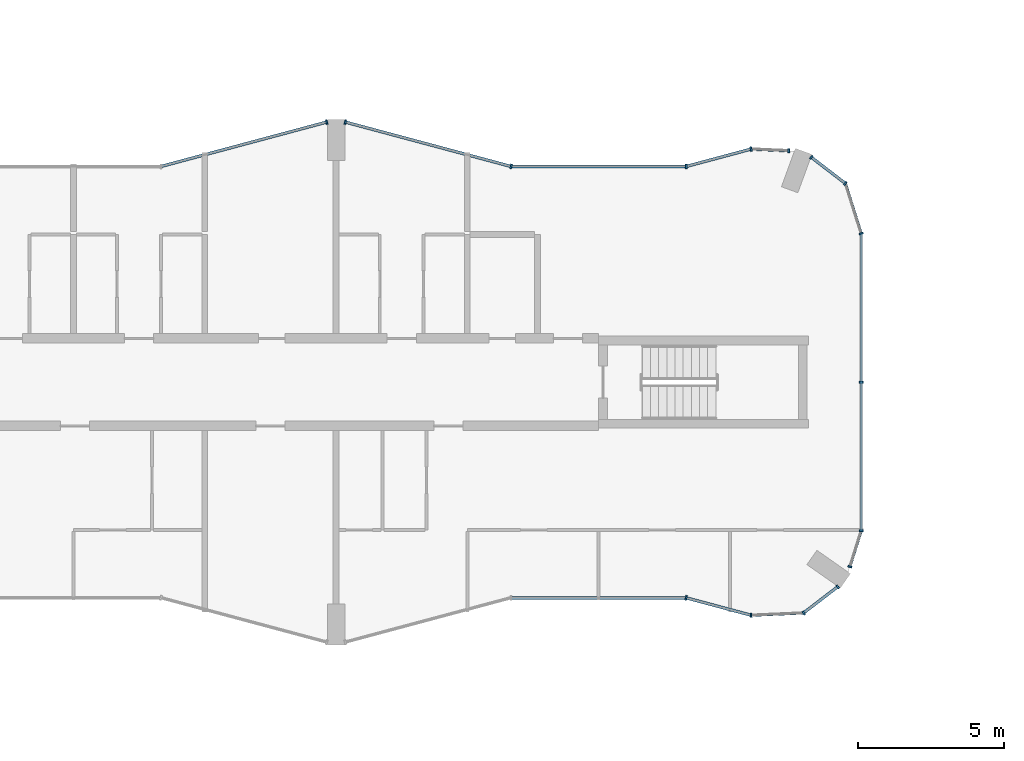
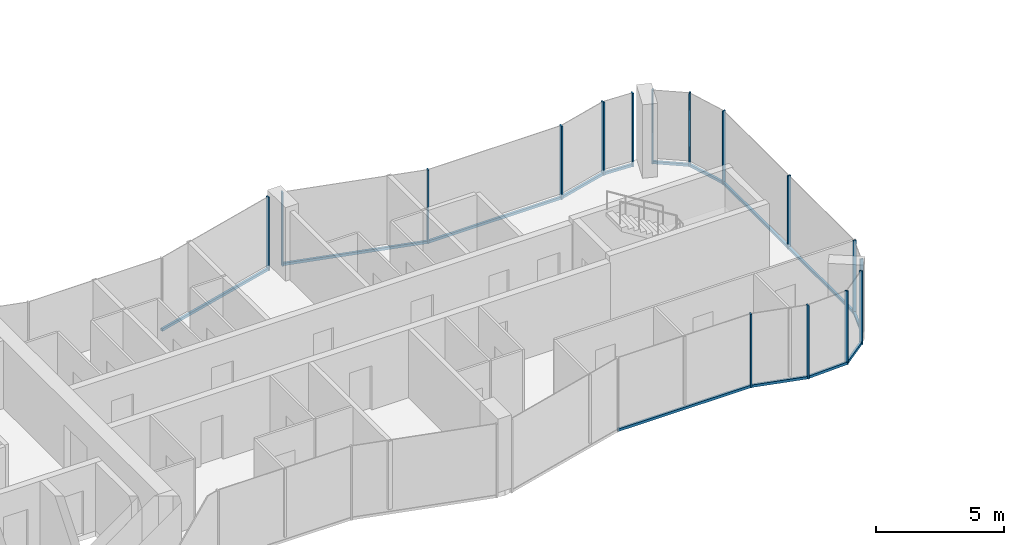
# One storey, part 5 of 22: 29 members, 13 elements without a shape of their own.
"""IFC4 building model written with IfcOpenShell, lengths in metres."""

from ifc_helpers import new_model, si_unit, direction, frame, origin, origin_2d, place, context, subcontext, project, spatial, rectangle, extrude, material, layer, layer_set, material_profile, profile_set, type_object, element, aggregate, save


model = new_model("IFC4")

# Units and contexts
model_context = context("Model", 3, precision=1e-05, world=origin(), true_north=direction((0.0, 1.0)))
body_context = subcontext(model_context, "Body", "Model", "MODEL_VIEW")
ifc_project = project(units=[si_unit("LENGTHUNIT", "METRE"), si_unit("AREAUNIT", "SQUARE_METRE"), si_unit("VOLUMEUNIT", "CUBIC_METRE"), si_unit("PLANEANGLEUNIT", "RADIAN"), si_unit("MASSUNIT", "GRAM", prefix="KILO")], contexts=[model_context])

# Site, building, storey
site_placement = place(None, origin())
site = spatial("IfcSite", under=ifc_project, at=site_placement, CompositionType="ELEMENT")
building_placement = place(site_placement, origin())
building = spatial("IfcBuilding", under=site, at=building_placement, Name="Plateau Cross Towers", CompositionType="ELEMENT")
storey_placement = place(building_placement, frame((0.0, 0.0, 106.300048828125)))
storey = spatial("IfcBuildingStorey", under=building, at=storey_placement, Name="L27", CompositionType="ELEMENT", Elevation=106.300048828125)

# Curtain wall, member
ifc_material_1 = material(Name="Dark low-iron glass", Category="glass")
ifc_layer_1 = layer(ifc_material_1, 0.239990234375)
ifc_layer_set_1 = layer_set([ifc_layer_1], Name="Dark low-iron glass")
curtain_wall_type_1 = type_object("IfcCurtainWallType", Name="Curtain wall flush unitised CW-B", PredefinedType="NOTDEFINED", material=ifc_layer_set_1)
curtain_wall_1_placement = place(storey_placement, origin())
curtain_wall_1 = element("IfcCurtainWall", 1, at=curtain_wall_1_placement, inside=storey, type_object=curtain_wall_type_1, Name="ENV/A/L27/A502_10", PredefinedType="NOTDEFINED")
ifc_material_2 = material(Name="Black anodised aluminium", Category="aluminium")
ifc_material_profile_1 = material_profile(ifc_material_2, rectangle(XDim=0.06005859375, YDim=0.139892578125, at=origin_2d()), Name="MULLION 60x140")
ifc_profile_set_1 = profile_set([ifc_material_profile_1], Name="Black anodised aluminium")
member_type_1 = type_object("IfcMemberType", Name="Mullion 60x140 flush unitised", PredefinedType="MULLION", material=ifc_profile_set_1)
member_1_placement = place(storey_placement, frame((50.223876953125, 1.01123046875, -0.25), z_axis=(0.0, 0.0, 1.0), x_axis=(0.999043701491, 0.043722791671, 0.0)))
member_1 = element("IfcMember", 2, at=member_1_placement, type_object=member_type_1, Name="CW-B mullion 1", PredefinedType="MULLION", context=body_context, shape_type="SweptSolid", body=[
    extrude(rectangle(XDim=0.06005859375, YDim=0.139892578125, at=origin_2d()), origin(), (0.0, 0.0, 1.0), 3.5),
])

# Curtain wall, members
curtain_wall_2_placement = place(storey_placement, origin())
curtain_wall_2 = element("IfcCurtainWall", 3, at=curtain_wall_2_placement, inside=storey, type_object=curtain_wall_type_1, Name="ENV/A/L27/A520_11", PredefinedType="NOTDEFINED")
member_2_placement = place(storey_placement, frame((52.0263671875, 1.090087890625, -0.25), z_axis=(0.0, 0.0, 1.0), x_axis=(0.793315514529, 0.608810721331, 0.0)))
member_2 = element("IfcMember", 4, at=member_2_placement, type_object=member_type_1, Name="CW-B mullion 1", PredefinedType="MULLION", context=body_context, shape_type="SweptSolid", body=[
    extrude(rectangle(XDim=0.06005859375, YDim=0.139892578125, at=origin_2d()), origin(), (0.0, 0.0, 1.0), 3.5),
])
member_3_placement = place(storey_placement, frame((53.193603515625, 1.986083984375, -0.25), z_axis=(0.0, 0.0, 1.0), x_axis=(0.793315514529, 0.608810721331, 0.0)))
member_3 = element("IfcMember", 5, at=member_3_placement, type_object=member_type_1, Name="CW-B mullion 2", PredefinedType="MULLION", context=body_context, shape_type="SweptSolid", body=[
    extrude(rectangle(XDim=0.06005859375, YDim=0.139892578125, at=origin_2d()), origin(), (0.0, 0.0, 1.0), 3.5),
])

# Curtain wall, member
curtain_wall_3_placement = place(storey_placement, origin())
curtain_wall_3 = element("IfcCurtainWall", 6, at=curtain_wall_3_placement, inside=storey, type_object=curtain_wall_type_1, Name="ENV/A/L27/A536_27", PredefinedType="NOTDEFINED")
member_4_placement = place(storey_placement, frame((53.611083984375, 2.67529296875, -0.25), z_axis=(0.0, 0.0, 1.0), x_axis=(0.300686174994, 0.95372313811, 0.0)))
member_4 = element("IfcMember", 7, at=member_4_placement, type_object=member_type_1, Name="CW-B mullion 1", PredefinedType="MULLION", context=body_context, shape_type="SweptSolid", body=[
    extrude(rectangle(XDim=0.06005859375, YDim=0.139892578125, at=origin_2d()), origin(), (0.0, 0.0, 1.0), 3.5),
])

# Curtain wall, members
curtain_wall_4_placement = place(storey_placement, origin())
curtain_wall_4 = element("IfcCurtainWall", 8, at=curtain_wall_4_placement, inside=storey, type_object=curtain_wall_type_1, Name="ENV/A/L27/A540_39", PredefinedType="NOTDEFINED")
member_5_placement = place(storey_placement, frame((54.0, 3.9091796875, -0.25), z_axis=(0.0, 0.0, 1.0), x_axis=(0.0, 1.0, 0.0)))
member_5 = element("IfcMember", 9, at=member_5_placement, type_object=member_type_1, Name="CW-B mullion 1", PredefinedType="MULLION", context=body_context, shape_type="SweptSolid", body=[
    extrude(rectangle(XDim=0.06005859375, YDim=0.139892578125, at=origin_2d()), origin(), (0.0, 0.0, 1.0), 3.5),
])
member_6_placement = place(storey_placement, frame((54.0, 9.0, -0.25), z_axis=(0.0, 0.0, 1.0), x_axis=(0.0, 1.0, 0.0)))
member_6 = element("IfcMember", 10, at=member_6_placement, type_object=member_type_1, Name="CW-B mullion 2", PredefinedType="MULLION", context=body_context, shape_type="SweptSolid", body=[
    extrude(rectangle(XDim=0.06005859375, YDim=0.139892578125, at=origin_2d()), origin(), (0.0, 0.0, 1.0), 3.5),
])

# Curtain wall, member
curtain_wall_5_placement = place(storey_placement, origin())
curtain_wall_5 = element("IfcCurtainWall", 11, at=curtain_wall_5_placement, inside=storey, type_object=curtain_wall_type_1, Name="ENV/A/L27/A540_141", PredefinedType="NOTDEFINED")
member_7_placement = place(storey_placement, frame((54.0, 14.0908203125, -0.25), z_axis=(0.0, 0.0, 1.0), x_axis=(-0.300686174994, 0.95372313811, 0.0)))
member_7 = element("IfcMember", 12, at=member_7_placement, type_object=member_type_1, Name="CW-B mullion 1", PredefinedType="MULLION", context=body_context, shape_type="SweptSolid", body=[
    extrude(rectangle(XDim=0.06005859375, YDim=0.139892578125, at=origin_2d()), origin(), (0.0, 0.0, 1.0), 3.5),
])

# Curtain wall, members
curtain_wall_6_placement = place(storey_placement, origin())
curtain_wall_6 = element("IfcCurtainWall", 13, at=curtain_wall_6_placement, inside=storey, type_object=curtain_wall_type_1, Name="ENV/A/L27/A535_158", PredefinedType="NOTDEFINED")
member_8_placement = place(storey_placement, frame((53.45751953125, 15.8115234375, -0.25), z_axis=(0.0, 0.0, 1.0), x_axis=(-0.793315514529, 0.608810721331, 0.0)))
member_8 = element("IfcMember", 14, at=member_8_placement, type_object=member_type_1, Name="CW-B mullion 1", PredefinedType="MULLION", context=body_context, shape_type="SweptSolid", body=[
    extrude(rectangle(XDim=0.06005859375, YDim=0.139892578125, at=origin_2d()), origin(), (0.0, 0.0, 1.0), 3.5),
])
member_9_placement = place(storey_placement, frame((52.290283203125, 16.707275390625, -0.25), z_axis=(0.0, 0.0, 1.0), x_axis=(-0.793315514529, 0.608810721331, 0.0)))
member_9 = element("IfcMember", 15, at=member_9_placement, type_object=member_type_1, Name="CW-B mullion 2", PredefinedType="MULLION", context=body_context, shape_type="SweptSolid", body=[
    extrude(rectangle(XDim=0.06005859375, YDim=0.139892578125, at=origin_2d()), origin(), (0.0, 0.0, 1.0), 3.5),
])

# Curtain wall, member
curtain_wall_7_placement = place(storey_placement, origin())
curtain_wall_7 = element("IfcCurtainWall", 16, at=curtain_wall_7_placement, inside=storey, type_object=curtain_wall_type_1, Name="ENV/A/L27/A515_169", PredefinedType="NOTDEFINED")
member_10_placement = place(storey_placement, frame((51.516357421875, 16.93212890625, -0.25), z_axis=(0.0, 0.0, 1.0), x_axis=(-0.999043701491, 0.043722791671, 0.0)))
member_10 = element("IfcMember", 17, at=member_10_placement, type_object=member_type_1, Name="CW-B mullion 1", PredefinedType="MULLION", context=body_context, shape_type="SweptSolid", body=[
    extrude(rectangle(XDim=0.06005859375, YDim=0.139892578125, at=origin_2d()), origin(), (0.0, 0.0, 1.0), 3.5),
])

ifc_layer_2 = layer(ifc_material_1, 0.260009765625)
ifc_layer_set_2 = layer_set([ifc_layer_2], Name="Dark low-iron glass")
curtain_wall_type_2 = type_object("IfcCurtainWallType", Name="Curtain wall fluted unitised CW-A", PredefinedType="NOTDEFINED", material=ifc_layer_set_2)
curtain_wall_8_placement = place(storey_placement, origin())
curtain_wall_8 = element("IfcCurtainWall", 18, at=curtain_wall_8_placement, inside=storey, type_object=curtain_wall_type_2, Name="ENV/A/L27/A480_16", PredefinedType="NOTDEFINED")
ifc_material_profile_2 = material_profile(ifc_material_2, rectangle(XDim=0.06005859375, YDim=0.159912109375, at=origin_2d()), Name="MULLION 60x160")
ifc_profile_set_2 = profile_set([ifc_material_profile_2], Name="Black anodised aluminium")
member_type_2 = type_object("IfcMemberType", Name="Mullion 60x160 fluted unitised", PredefinedType="MULLION", material=ifc_profile_set_2)
member_11_placement = place(storey_placement, frame((48.0, 1.60693359375, -0.25), z_axis=(0.0, 0.0, 1.0), x_axis=(0.965957962328, -0.258699081978, 0.0)))
member_11 = element("IfcMember", 19, at=member_11_placement, type_object=member_type_2, Name="CW-A mullion 1", PredefinedType="MULLION", context=body_context, shape_type="SweptSolid", body=[
    extrude(rectangle(XDim=0.06005859375, YDim=0.159912109375, at=origin_2d()), origin(), (0.0, 0.0, 1.0), 3.5),
])

curtain_wall_9_placement = place(storey_placement, origin())
curtain_wall_9 = element("IfcCurtainWall", 20, at=curtain_wall_9_placement, inside=storey, type_object=curtain_wall_type_2, Name="ENV/A/L27/A502_170", PredefinedType="NOTDEFINED")
member_12_placement = place(storey_placement, frame((50.223876953125, 16.98876953125, -0.25), z_axis=(0.0, 0.0, 1.0), x_axis=(-0.965957962328, -0.258699081978, 0.0)))
member_12 = element("IfcMember", 21, at=member_12_placement, type_object=member_type_2, Name="CW-A mullion 1", PredefinedType="MULLION", context=body_context, shape_type="SweptSolid", body=[
    extrude(rectangle(XDim=0.06005859375, YDim=0.159912109375, at=origin_2d()), origin(), (0.0, 0.0, 1.0), 3.5),
])

curtain_wall_10_placement = place(storey_placement, origin())
curtain_wall_10 = element("IfcCurtainWall", 22, at=curtain_wall_10_placement, inside=storey, type_object=curtain_wall_type_2, Name="ENV/A/L27/A480_164", PredefinedType="NOTDEFINED")
member_13_placement = place(storey_placement, frame((48.0, 16.39306640625, -0.25), z_axis=(0.0, 0.0, 1.0), x_axis=(-1.0, 0.0, 0.0)))
member_13 = element("IfcMember", 23, at=member_13_placement, type_object=member_type_2, Name="CW-A mullion 1", PredefinedType="MULLION", context=body_context, shape_type="SweptSolid", body=[
    extrude(rectangle(XDim=0.06005859375, YDim=0.159912109375, at=origin_2d()), origin(), (0.0, 0.0, 1.0), 3.5),
])

# Curtain wall, members
curtain_wall_11_placement = place(storey_placement, origin())
curtain_wall_11 = element("IfcCurtainWall", 24, at=curtain_wall_11_placement, inside=storey, type_object=curtain_wall_type_2, Name="ENV/A/L27/A420_164", PredefinedType="NOTDEFINED")
member_14_placement = place(storey_placement, frame((42.0, 16.39306640625, -0.25), z_axis=(0.0, 0.0, 1.0), x_axis=(-0.965957983404, 0.258699003279, 0.0)))
member_14 = element("IfcMember", 25, at=member_14_placement, type_object=member_type_2, Name="CW-A mullion 1", PredefinedType="MULLION", context=body_context, shape_type="SweptSolid", body=[
    extrude(rectangle(XDim=0.06005859375, YDim=0.159912109375, at=origin_2d()), origin(), (0.0, 0.0, 1.0), 3.5),
])
member_15_placement = place(storey_placement, frame((36.31787109375, 17.914794921875, -0.25), z_axis=(0.0, 0.0, 1.0), x_axis=(-0.965957983404, 0.258699003279, 0.0)))
member_15 = element("IfcMember", 26, at=member_15_placement, type_object=member_type_2, Name="CW-A mullion 2", PredefinedType="MULLION", context=body_context, shape_type="SweptSolid", body=[
    extrude(rectangle(XDim=0.06005859375, YDim=0.159912109375, at=origin_2d()), origin(), (0.0, 0.0, 1.0), 3.5),
])

# Curtain wall, member
curtain_wall_12_placement = place(storey_placement, origin())
curtain_wall_12 = element("IfcCurtainWall", 27, at=curtain_wall_12_placement, inside=storey, type_object=curtain_wall_type_2, Name="ENV/A/L27/A357_179", PredefinedType="NOTDEFINED")
member_16_placement = place(storey_placement, frame((35.68212890625, 17.914794921875, -0.25), z_axis=(0.0, 0.0, 1.0), x_axis=(-0.965957983404, -0.258699003279, 0.0)))
member_16 = element("IfcMember", 28, at=member_16_placement, type_object=member_type_2, Name="CW-A mullion 1", PredefinedType="MULLION", context=body_context, shape_type="SweptSolid", body=[
    extrude(rectangle(XDim=0.06005859375, YDim=0.159912109375, at=origin_2d()), origin(), (0.0, 0.0, 1.0), 3.5),
])

# Member
ifc_material_profile_3 = material_profile(ifc_material_2, rectangle(XDim=0.10009765625, YDim=0.1201171875, at=origin_2d()), Name="TRANSOM 100x120")
ifc_profile_set_3 = profile_set([ifc_material_profile_3], Name="Black anodised aluminium")
member_type_3 = type_object("IfcMemberType", Name="Transom 100x120 flush unitised", PredefinedType="USERDEFINED", material=ifc_profile_set_3)
member_17_placement = place(storey_placement, frame((50.223876953125, 1.01123046875, -0.18994140625), z_axis=(0.999044377355, 0.043707345779, 0.0), x_axis=(-0.043707345779, 0.999044377355, 0.0)))
member_17 = element("IfcMember", 29, at=member_17_placement, type_object=member_type_3, Name="CW-B transom", ObjectType="TRANSOM", PredefinedType="USERDEFINED", context=body_context, shape_type="SweptSolid", body=[
    extrude(rectangle(XDim=0.10009765625, YDim=0.1201171875, at=origin_2d()), origin(), (0.0, 0.0, 1.0), 1.80419921875),
])

aggregate(curtain_wall_1, [member_1, member_17])

member_18_placement = place(storey_placement, frame((52.0263671875, 1.090087890625, -0.18994140625), z_axis=(0.793240368515, 0.608908628415, 0.0), x_axis=(-0.608908628415, 0.793240368515, 0.0)))
member_18 = element("IfcMember", 30, at=member_18_placement, type_object=member_type_3, Name="CW-B transom", ObjectType="TRANSOM", PredefinedType="USERDEFINED", context=body_context, shape_type="SweptSolid", body=[
    extrude(rectangle(XDim=0.10009765625, YDim=0.1201171875, at=origin_2d()), origin(), (0.0, 0.0, 1.0), 1.471435546875),
])

aggregate(curtain_wall_2, [member_2, member_3, member_18])

member_19_placement = place(storey_placement, frame((53.611083984375, 2.67529296875, -0.18994140625), z_axis=(0.300616528216, 0.953745093284, 0.0), x_axis=(-0.953745093284, 0.300616528216, 0.0)))
member_19 = element("IfcMember", 31, at=member_19_placement, type_object=member_type_3, Name="CW-B transom", ObjectType="TRANSOM", PredefinedType="USERDEFINED", context=body_context, shape_type="SweptSolid", body=[
    extrude(rectangle(XDim=0.10009765625, YDim=0.1201171875, at=origin_2d()), origin(), (0.0, 0.0, 1.0), 1.293701171875),
])

aggregate(curtain_wall_3, [member_4, member_19])

member_20_placement = place(storey_placement, frame((54.0, 3.9091796875, -0.18994140625), z_axis=(0.0, 1.0, 0.0), x_axis=(-1.0, 0.0, 0.0)))
member_20 = element("IfcMember", 32, at=member_20_placement, type_object=member_type_3, Name="CW-B transom", ObjectType="TRANSOM", PredefinedType="USERDEFINED", context=body_context, shape_type="SweptSolid", body=[
    extrude(rectangle(XDim=0.10009765625, YDim=0.1201171875, at=origin_2d()), origin(), (0.0, 0.0, 1.0), 10.181640625),
])

aggregate(curtain_wall_4, [member_5, member_6, member_20])

member_21_placement = place(storey_placement, frame((54.0, 14.0908203125, -0.18994140625), z_axis=(-0.30067799945, 0.953725715626, 0.0), x_axis=(-0.953725715626, -0.30067799945, 0.0)))
member_21 = element("IfcMember", 33, at=member_21_placement, type_object=member_type_3, Name="CW-B transom", ObjectType="TRANSOM", PredefinedType="USERDEFINED", context=body_context, shape_type="SweptSolid", body=[
    extrude(rectangle(XDim=0.10009765625, YDim=0.1201171875, at=origin_2d()), origin(), (0.0, 0.0, 1.0), 1.80419921875),
])

aggregate(curtain_wall_5, [member_7, member_21])

member_22_placement = place(storey_placement, frame((53.45751953125, 15.8115234375, -0.18994140625), z_axis=(-0.793320508571, 0.608804213751, 0.0), x_axis=(-0.608804213751, -0.793320508571, 0.0)))
member_22 = element("IfcMember", 34, at=member_22_placement, type_object=member_type_3, Name="CW-B transom", ObjectType="TRANSOM", PredefinedType="USERDEFINED", context=body_context, shape_type="SweptSolid", body=[
    extrude(rectangle(XDim=0.10009765625, YDim=0.1201171875, at=origin_2d()), origin(), (0.0, 0.0, 1.0), 1.471435546875),
])

aggregate(curtain_wall_6, [member_8, member_9, member_22])

member_23_placement = place(storey_placement, frame((51.516357421875, 16.93212890625, -0.18994140625), z_axis=(-0.999041144614, 0.043781175963, 0.0), x_axis=(-0.043781175963, -0.999041144614, 0.0)))
member_23 = element("IfcMember", 35, at=member_23_placement, type_object=member_type_3, Name="CW-B transom", ObjectType="TRANSOM", PredefinedType="USERDEFINED", context=body_context, shape_type="SweptSolid", body=[
    extrude(rectangle(XDim=0.10009765625, YDim=0.1201171875, at=origin_2d()), origin(), (0.0, 0.0, 1.0), 1.293701171875),
])

aggregate(curtain_wall_7, [member_10, member_23])

# Curtain wall, member
curtain_wall_13_placement = place(storey_placement, origin())
curtain_wall_13 = element("IfcCurtainWall", 36, at=curtain_wall_13_placement, inside=storey, type_object=curtain_wall_type_2, Name="ENV/A/L27/A420_16", PredefinedType="NOTDEFINED")
ifc_material_profile_4 = material_profile(ifc_material_2, rectangle(XDim=0.10009765625, YDim=0.1201171875, at=origin_2d()), Name="TRANSOM 100x120")
ifc_profile_set_4 = profile_set([ifc_material_profile_4], Name="Black anodised aluminium")
member_type_4 = type_object("IfcMemberType", Name="Transom 100x120 fluted unitised", PredefinedType="USERDEFINED", material=ifc_profile_set_4)
member_24_placement = place(storey_placement, frame((42.0, 1.60693359375, -0.18994140625), z_axis=(1.0, 0.0, 0.0), x_axis=(0.0, 1.0, 0.0)))
member_24 = element("IfcMember", 37, at=member_24_placement, type_object=member_type_4, Name="CW-A transom", ObjectType="TRANSOM", PredefinedType="USERDEFINED", context=body_context, shape_type="SweptSolid", body=[
    extrude(rectangle(XDim=0.10009765625, YDim=0.1201171875, at=origin_2d()), origin(), (0.0, 0.0, 1.0), 6.0),
])
aggregate(curtain_wall_13, [member_24])

# Member
member_25_placement = place(storey_placement, frame((48.0, 1.60693359375, -0.18994140625), z_axis=(0.965945685136, -0.258744919501, 0.0), x_axis=(0.258744919501, 0.965945685136, 0.0)))
member_25 = element("IfcMember", 38, at=member_25_placement, type_object=member_type_4, Name="CW-A transom", ObjectType="TRANSOM", PredefinedType="USERDEFINED", context=body_context, shape_type="SweptSolid", body=[
    extrude(rectangle(XDim=0.10009765625, YDim=0.1201171875, at=origin_2d()), origin(), (0.0, 0.0, 1.0), 2.30224609375),
])

aggregate(curtain_wall_8, [member_11, member_25])

member_26_placement = place(storey_placement, frame((50.223876953125, 16.98876953125, -0.18994140625), z_axis=(-0.965945685136, -0.258744919501, 0.0), x_axis=(0.258744919501, -0.965945685136, 0.0)))
member_26 = element("IfcMember", 39, at=member_26_placement, type_object=member_type_4, Name="CW-A transom", ObjectType="TRANSOM", PredefinedType="USERDEFINED", context=body_context, shape_type="SweptSolid", body=[
    extrude(rectangle(XDim=0.10009765625, YDim=0.1201171875, at=origin_2d()), origin(), (0.0, 0.0, 1.0), 2.30224609375),
])

aggregate(curtain_wall_9, [member_12, member_26])

member_27_placement = place(storey_placement, frame((48.0, 16.39306640625, -0.18994140625), z_axis=(-1.0, 0.0, 0.0), x_axis=(0.0, -1.0, 0.0)))
member_27 = element("IfcMember", 40, at=member_27_placement, type_object=member_type_4, Name="CW-A transom", ObjectType="TRANSOM", PredefinedType="USERDEFINED", context=body_context, shape_type="SweptSolid", body=[
    extrude(rectangle(XDim=0.10009765625, YDim=0.1201171875, at=origin_2d()), origin(), (0.0, 0.0, 1.0), 6.0),
])

aggregate(curtain_wall_10, [member_13, member_27])

member_28_placement = place(storey_placement, frame((42.0, 16.39306640625, -0.18994140625), z_axis=(-0.965959534794, 0.258693210465, 0.0), x_axis=(-0.258693210465, -0.965959534794, 0.0)))
member_28 = element("IfcMember", 41, at=member_28_placement, type_object=member_type_4, Name="CW-A transom", ObjectType="TRANSOM", PredefinedType="USERDEFINED", context=body_context, shape_type="SweptSolid", body=[
    extrude(rectangle(XDim=0.10009765625, YDim=0.1201171875, at=origin_2d()), origin(), (0.0, 0.0, 1.0), 5.88232421875),
])

aggregate(curtain_wall_11, [member_14, member_15, member_28])

member_29_placement = place(storey_placement, frame((35.68212890625, 17.914794921875, -0.18994140625), z_axis=(-0.965959534794, -0.258693210465, 0.0), x_axis=(0.258693210465, -0.965959534794, 0.0)))
member_29 = element("IfcMember", 42, at=member_29_placement, type_object=member_type_4, Name="CW-A transom", ObjectType="TRANSOM", PredefinedType="USERDEFINED", context=body_context, shape_type="SweptSolid", body=[
    extrude(rectangle(XDim=0.10009765625, YDim=0.1201171875, at=origin_2d()), origin(), (0.0, 0.0, 1.0), 5.88232421875),
])

aggregate(curtain_wall_12, [member_16, member_29])

save(model, "model.ifc")
